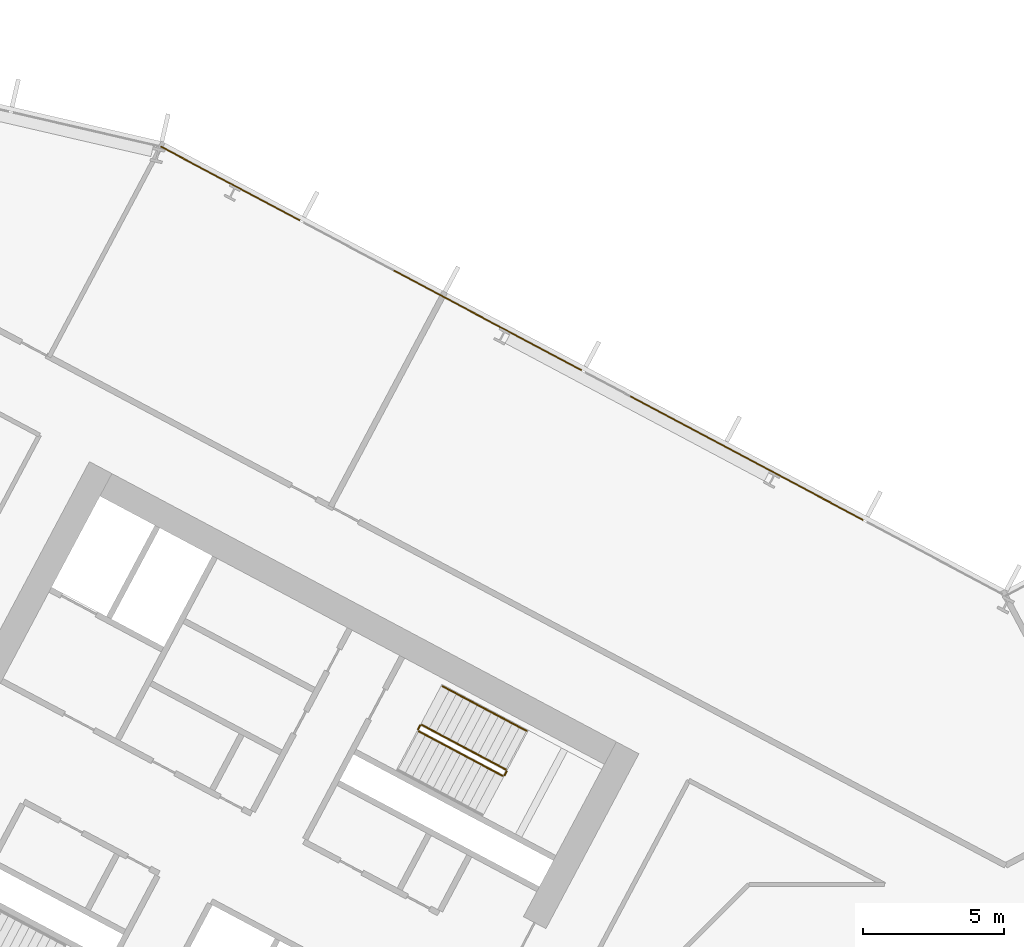
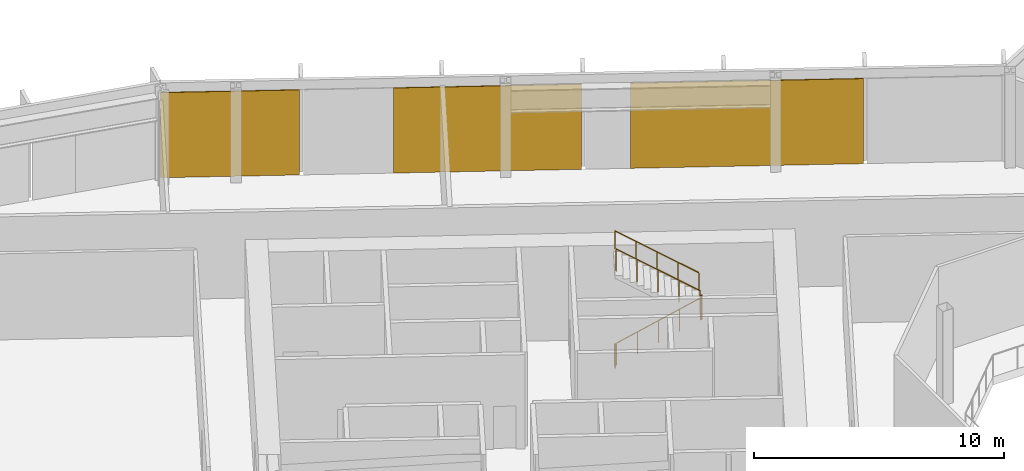
# One storey, part 25 of 31: 5 railings, 3 coverings, 1 element without a shape of its own.
"""IFC4 building model written with IfcOpenShell, lengths in metres."""

from ifc_helpers import new_model, si_unit, direction, frame, origin, origin_2d, place, context, subcontext, project, spatial, polyline, rectangle, outline, extrude, material, layer, layer_set, type_object, element, aggregate, save


model = new_model("IFC4")

# Units and contexts
model_context = context("Model", 3, precision=1e-05, world=origin(), true_north=direction((0.0, 1.0)))
body_context = subcontext(model_context, "Body", "Model", "MODEL_VIEW")
ifc_project = project(units=[si_unit("LENGTHUNIT", "METRE"), si_unit("AREAUNIT", "SQUARE_METRE"), si_unit("VOLUMEUNIT", "CUBIC_METRE"), si_unit("PLANEANGLEUNIT", "RADIAN"), si_unit("MASSUNIT", "GRAM", prefix="KILO")], contexts=[model_context])

# Site, building, storey
site_placement = place(None, origin())
site = spatial("IfcSite", under=ifc_project, at=site_placement, CompositionType="ELEMENT")
building_placement = place(site_placement, origin())
building = spatial("IfcBuilding", under=site, at=building_placement, Name="Cormorant Relay Tower", CompositionType="ELEMENT")
storey_placement = place(building_placement, frame((0.0, 0.0, 93.800048828125)))
storey = spatial("IfcBuildingStorey", under=building, at=storey_placement, Name="L18", CompositionType="ELEMENT", Elevation=93.800048828125)

# Curtain wall, coverings
ifc_material_1 = material(Name="Aluminium 6063-T6 anodised bronze", Category="aluminium")
ifc_layer_1 = layer(ifc_material_1, 0.199951171875)
ifc_layer_set_1 = layer_set([ifc_layer_1], Name="CW1 unitised bronze curtain wall with vertical fins")
curtain_wall_type = type_object("IfcCurtainWallType", Name="CW1 unitised bronze curtain wall with vertical fins", PredefinedType="NOTDEFINED", material=ifc_layer_set_1)
curtain_wall_placement = place(storey_placement, origin())
curtain_wall = element("IfcCurtainWall", 1, at=curtain_wall_placement, inside=storey, type_object=curtain_wall_type, Name="CW1 curtain wall 7", PredefinedType="NOTDEFINED")
ifc_material_2 = material(Name="Pale bronze anodised aluminium insulated panel", Category="aluminium")
ifc_layer_2 = layer(ifc_material_2, 0.0400390625)
ifc_layer_set_2 = layer_set([ifc_layer_2], Name="CW1 pale bronze insulated panel 40")
covering_type = type_object("IfcCoveringType", Name="CW1 pale bronze insulated panel 40", PredefinedType="CLADDING", material=ifc_layer_set_2)
covering_1_placement = place(storey_placement, frame((-9.15380859375, 28.673828125, 0.0), z_axis=(0.0, 0.0, 1.0), x_axis=(-0.882947592859, 0.469471562786, 0.0)))
covering_1 = element("IfcCovering", 2, at=covering_1_placement, type_object=covering_type, Name="CW1 panel S01", PredefinedType="CLADDING", context=body_context, shape_type="SweptSolid", body=[
    extrude(rectangle(XDim=9.327880859375, YDim=0.0400390625, at=origin_2d()), origin(), (0.0, 0.0, 1.0), 4.14990234375),
])
covering_2_placement = place(storey_placement, frame((-18.317138671875, 33.5458984375, 0.0), z_axis=(0.0, 0.0, 1.0), x_axis=(-0.882947592859, 0.469471562786, 0.0)))
covering_2 = element("IfcCovering", 3, at=covering_2_placement, type_object=covering_type, Name="CW1 panel S03", PredefinedType="CLADDING", context=body_context, shape_type="SweptSolid", body=[
    extrude(rectangle(XDim=7.528076171875, YDim=0.0400390625, at=origin_2d()), origin(), (0.0, 0.0, 1.0), 4.14990234375),
])
covering_3_placement = place(storey_placement, frame((-27.407958984375, 38.379638671875, 0.0), z_axis=(0.0, 0.0, 1.0), x_axis=(-0.882947592859, 0.469471562786, 0.0)))
covering_3 = element("IfcCovering", 4, at=covering_3_placement, type_object=covering_type, Name="CW1 panel S05", PredefinedType="CLADDING", context=body_context, shape_type="SweptSolid", body=[
    extrude(rectangle(XDim=5.56396484375, YDim=0.0400390625, at=origin_2d()), origin(), (0.0, 0.0, 1.0), 4.14990234375),
])
aggregate(curtain_wall, [covering_1, covering_2, covering_3])

# Railings
ifc_material_3 = material(Name="Steel ASTM A572 Grade 50 (Fy 345 MPa)", Category="steel")
railing_type_1 = type_object("IfcRailingType", Name="Stair guard 1100", PredefinedType="GUARDRAIL", material=ifc_material_3)
railing_1_placement = place(storey_placement, frame((-20.75048828125, 19.017822265625, 0.1767578125)))
element("IfcRailing", 5, at=railing_1_placement, inside=storey, type_object=railing_type_1, Name="L18 A1 stair guard 1", PredefinedType="GUARDRAIL", context=body_context, shape_type="SweptSolid", body=[
    extrude(outline(polyline([(0.022216796875, 0.00927734375), (0.00927734375, 0.022216796875), (-0.00927734375, 0.022216796875), (-0.022216796875, 0.00927734375), (-0.022216796875, -0.00927734375), (-0.00927734375, -0.022216796875), (0.00927734375, -0.022216796875), (0.022216796875, -0.00927734375), (0.022216796875, 0.00927734375)])), frame((0.0, 0.0, 1.076171875), z_axis=(0.746388972956, -0.396874261729, 0.534223100798), x_axis=(0.469482818608, 0.88294160794, 0.0)), (0.0, 0.0, 1.0), 3.974609375),
    extrude(outline(polyline([(0.019287109375, 0.008056640625), (0.008056640625, 0.019287109375), (-0.008056640625, 0.019287109375), (-0.019287109375, 0.008056640625), (-0.019287109375, -0.008056640625), (-0.008056640625, -0.019287109375), (0.008056640625, -0.019287109375), (0.019287109375, -0.008056640625), (0.019287109375, 0.008056640625)])), origin(), (0.0, 0.0, 1.0), 1.052001953125),
    extrude(outline(polyline([(0.019287109375, 0.008056640625), (0.008056640625, 0.019287109375), (-0.008056640625, 0.019287109375), (-0.019287109375, 0.008056640625), (-0.019287109375, -0.008056640625), (-0.008056640625, -0.019287109375), (0.008056640625, -0.019287109375), (0.019287109375, -0.008056640625), (0.019287109375, 0.008056640625)])), frame((0.74169921875, -0.394287109375, 0.53076171875)), (0.0, 0.0, 1.0), 1.052001953125),
    extrude(outline(polyline([(0.019287109375, 0.008056640625), (0.008056640625, 0.019287109375), (-0.008056640625, 0.019287109375), (-0.019287109375, 0.008056640625), (-0.019287109375, -0.008056640625), (-0.008056640625, -0.019287109375), (0.008056640625, -0.019287109375), (0.019287109375, -0.008056640625), (0.019287109375, 0.008056640625)])), frame((1.4833984375, -0.78857421875, 1.0615234375)), (0.0, 0.0, 1.0), 1.052001953125),
    extrude(outline(polyline([(0.019287109375, 0.008056640625), (0.008056640625, 0.019287109375), (-0.008056640625, 0.019287109375), (-0.019287109375, 0.008056640625), (-0.019287109375, -0.008056640625), (-0.008056640625, -0.019287109375), (0.008056640625, -0.019287109375), (0.019287109375, -0.008056640625), (0.019287109375, 0.008056640625)])), frame((2.224853515625, -1.18310546875, 1.592529296875)), (0.0, 0.0, 1.0), 1.052001953125),
    extrude(outline(polyline([(0.019287109375, 0.008056640625), (0.008056640625, 0.019287109375), (-0.008056640625, 0.019287109375), (-0.019287109375, 0.008056640625), (-0.019287109375, -0.008056640625), (-0.008056640625, -0.019287109375), (0.008056640625, -0.019287109375), (0.019287109375, -0.008056640625), (0.019287109375, 0.008056640625)])), frame((2.966552734375, -1.577392578125, 2.123291015625)), (0.0, 0.0, 1.0), 1.052001953125),
])
railing_2_placement = place(storey_placement, frame((-17.71630859375, 17.461181640625, 2.300048828125)))
element("IfcRailing", 6, at=railing_2_placement, inside=storey, type_object=railing_type_1, Name="L18 A1 stair guard 2", PredefinedType="GUARDRAIL", context=body_context, shape_type="SweptSolid", body=[
    extrude(outline(polyline([(0.022216796875, 0.00927734375), (0.00927734375, 0.022216796875), (-0.00927734375, 0.022216796875), (-0.022216796875, 0.00927734375), (-0.022216796875, -0.00927734375), (-0.00927734375, -0.022216796875), (0.00927734375, -0.022216796875), (0.022216796875, -0.00927734375), (0.022216796875, 0.00927734375)])), frame((0.0, 0.0, 1.076171875), z_axis=(0.470503732759, 0.882398003998, 0.0), x_axis=(-0.882398003998, 0.470503732759, 0.0)), (0.0, 0.0, 1.0), 0.14990234375),
    extrude(outline(polyline([(0.019287109375, 0.008056640625), (0.008056640625, 0.019287109375), (-0.008056640625, 0.019287109375), (-0.019287109375, 0.008056640625), (-0.019287109375, -0.008056640625), (-0.008056640625, -0.019287109375), (0.008056640625, -0.019287109375), (0.019287109375, -0.008056640625), (0.019287109375, 0.008056640625)])), origin(), (0.0, 0.0, 1.0), 1.052001953125),
    extrude(outline(polyline([(0.019287109375, 0.008056640625), (0.008056640625, 0.019287109375), (-0.008056640625, 0.019287109375), (-0.019287109375, 0.008056640625), (-0.019287109375, -0.008056640625), (-0.008056640625, -0.019287109375), (0.008056640625, -0.019287109375), (0.019287109375, -0.008056640625), (0.019287109375, 0.008056640625)])), frame((0.070556640625, 0.13232421875, 0.0)), (0.0, 0.0, 1.0), 1.052001953125),
])
railing_3_placement = place(storey_placement, frame((-17.66650390625, 17.6611328125, 2.476806640625)))
element("IfcRailing", 7, at=railing_3_placement, inside=storey, type_object=railing_type_1, Name="L18 A1 stair guard 3", PredefinedType="GUARDRAIL", context=body_context, shape_type="SweptSolid", body=[
    extrude(outline(polyline([(0.022216796875, 0.00927734375), (0.00927734375, 0.022216796875), (-0.00927734375, 0.022216796875), (-0.022216796875, 0.00927734375), (-0.022216796875, -0.00927734375), (-0.00927734375, -0.022216796875), (0.00927734375, -0.022216796875), (0.022216796875, -0.00927734375), (0.022216796875, 0.00927734375)])), frame((0.0, 0.0, 1.076171875), z_axis=(-0.746440668329, 0.396869088057, 0.534154711306), x_axis=(-0.46945269911, -0.882957622595, 0.0)), (0.0, 0.0, 1.0), 3.974609375),
    extrude(outline(polyline([(0.019287109375, 0.008056640625), (0.008056640625, 0.019287109375), (-0.008056640625, 0.019287109375), (-0.019287109375, 0.008056640625), (-0.019287109375, -0.008056640625), (-0.008056640625, -0.019287109375), (0.008056640625, -0.019287109375), (0.019287109375, -0.008056640625), (0.019287109375, 0.008056640625)])), origin(), (0.0, 0.0, 1.0), 1.052001953125),
    extrude(outline(polyline([(0.019287109375, 0.008056640625), (0.008056640625, 0.019287109375), (-0.008056640625, 0.019287109375), (-0.019287109375, 0.008056640625), (-0.019287109375, -0.008056640625), (-0.008056640625, -0.019287109375), (0.008056640625, -0.019287109375), (0.019287109375, -0.008056640625), (0.019287109375, 0.008056640625)])), frame((-0.74169921875, 0.394287109375, 0.53076171875)), (0.0, 0.0, 1.0), 1.052001953125),
    extrude(outline(polyline([(0.019287109375, 0.008056640625), (0.008056640625, 0.019287109375), (-0.008056640625, 0.019287109375), (-0.019287109375, 0.008056640625), (-0.019287109375, -0.008056640625), (-0.008056640625, -0.019287109375), (0.008056640625, -0.019287109375), (0.019287109375, -0.008056640625), (0.019287109375, 0.008056640625)])), frame((-1.4833984375, 0.78857421875, 1.0615234375)), (0.0, 0.0, 1.0), 1.052001953125),
    extrude(outline(polyline([(0.019287109375, 0.008056640625), (0.008056640625, 0.019287109375), (-0.008056640625, 0.019287109375), (-0.019287109375, 0.008056640625), (-0.019287109375, -0.008056640625), (-0.008056640625, -0.019287109375), (0.008056640625, -0.019287109375), (0.019287109375, -0.008056640625), (0.019287109375, 0.008056640625)])), frame((-2.22509765625, 1.18310546875, 1.59228515625)), (0.0, 0.0, 1.0), 1.052001953125),
    extrude(outline(polyline([(0.019287109375, 0.008056640625), (0.008056640625, 0.019287109375), (-0.008056640625, 0.019287109375), (-0.019287109375, 0.008056640625), (-0.019287109375, -0.008056640625), (-0.008056640625, -0.019287109375), (0.008056640625, -0.019287109375), (0.019287109375, -0.008056640625), (0.019287109375, 0.008056640625)])), frame((-2.966796875, 1.577392578125, 2.123046875)), (0.0, 0.0, 1.0), 1.052001953125),
])
railing_4_placement = place(storey_placement, frame((-20.771240234375, 19.08544921875, 0.0)))
element("IfcRailing", 8, at=railing_4_placement, inside=storey, type_object=railing_type_1, Name="L18 A1 stair guard 4", PredefinedType="GUARDRAIL", context=body_context, shape_type="SweptSolid", body=[
    extrude(outline(polyline([(0.022216796875, 0.00927734375), (0.00927734375, 0.022216796875), (-0.00927734375, 0.022216796875), (-0.022216796875, 0.00927734375), (-0.022216796875, -0.00927734375), (-0.00927734375, -0.022216796875), (0.00927734375, -0.022216796875), (0.022216796875, -0.00927734375), (0.022216796875, 0.00927734375)])), frame((0.0, 0.0, 1.076171875), z_axis=(0.469828648786, 0.882757634224, 0.0), x_axis=(-0.882757634224, 0.469828648786, 0.0)), (0.0, 0.0, 1.0), 0.150146484375),
    extrude(outline(polyline([(0.019287109375, 0.008056640625), (0.008056640625, 0.019287109375), (-0.008056640625, 0.019287109375), (-0.019287109375, 0.008056640625), (-0.019287109375, -0.008056640625), (-0.008056640625, -0.019287109375), (0.008056640625, -0.019287109375), (0.019287109375, -0.008056640625), (0.019287109375, 0.008056640625)])), origin(), (0.0, 0.0, 1.0), 1.052001953125),
    extrude(outline(polyline([(0.019287109375, 0.008056640625), (0.008056640625, 0.019287109375), (-0.008056640625, 0.019287109375), (-0.019287109375, 0.008056640625), (-0.019287109375, -0.008056640625), (-0.008056640625, -0.019287109375), (0.008056640625, -0.019287109375), (0.019287109375, -0.008056640625), (0.019287109375, 0.008056640625)])), frame((0.070556640625, 0.132568359375, 0.0)), (0.0, 0.0, 1.0), 1.052001953125),
])
ifc_material_4 = material(Name="Steel ASTM A572 Grade 50 (Fy 345 MPa)", Category="steel")
railing_type_2 = type_object("IfcRailingType", Name="Stair handrail 900", PredefinedType="HANDRAIL", material=ifc_material_4)
railing_5_placement = place(storey_placement, frame((-16.938720703125, 19.02978515625, 2.476806640625)))
element("IfcRailing", 9, at=railing_5_placement, inside=storey, type_object=railing_type_2, Name="L18 A1 stair handrail 2", PredefinedType="HANDRAIL", context=body_context, shape_type="SweptSolid", body=[
    extrude(outline(polyline([(0.022216796875, 0.00927734375), (0.00927734375, 0.022216796875), (-0.00927734375, 0.022216796875), (-0.022216796875, 0.00927734375), (-0.022216796875, -0.00927734375), (-0.00927734375, -0.022216796875), (0.00927734375, -0.022216796875), (0.022216796875, -0.00927734375), (0.022216796875, 0.00927734375)])), frame((0.0, 0.0, 0.8759765625), z_axis=(-0.746440668329, 0.396869088057, 0.534154711306), x_axis=(-0.46945269911, -0.882957622595, 0.0)), (0.0, 0.0, 1.0), 3.974609375),
    extrude(outline(polyline([(0.019287109375, 0.008056640625), (0.008056640625, 0.019287109375), (-0.008056640625, 0.019287109375), (-0.019287109375, 0.008056640625), (-0.019287109375, -0.008056640625), (-0.008056640625, -0.019287109375), (0.008056640625, -0.019287109375), (0.019287109375, -0.008056640625), (0.019287109375, 0.008056640625)])), origin(), (0.0, 0.0, 1.0), 0.851806640625),
    extrude(outline(polyline([(0.019287109375, 0.008056640625), (0.008056640625, 0.019287109375), (-0.008056640625, 0.019287109375), (-0.019287109375, 0.008056640625), (-0.019287109375, -0.008056640625), (-0.008056640625, -0.019287109375), (0.008056640625, -0.019287109375), (0.019287109375, -0.008056640625), (0.019287109375, 0.008056640625)])), frame((-0.74169921875, 0.394287109375, 0.53076171875)), (0.0, 0.0, 1.0), 0.851806640625),
    extrude(outline(polyline([(0.019287109375, 0.008056640625), (0.008056640625, 0.019287109375), (-0.008056640625, 0.019287109375), (-0.019287109375, 0.008056640625), (-0.019287109375, -0.008056640625), (-0.008056640625, -0.019287109375), (0.008056640625, -0.019287109375), (0.019287109375, -0.008056640625), (0.019287109375, 0.008056640625)])), frame((-1.4833984375, 0.78857421875, 1.0615234375)), (0.0, 0.0, 1.0), 0.851806640625),
    extrude(outline(polyline([(0.019287109375, 0.008056640625), (0.008056640625, 0.019287109375), (-0.008056640625, 0.019287109375), (-0.019287109375, 0.008056640625), (-0.019287109375, -0.008056640625), (-0.008056640625, -0.019287109375), (0.008056640625, -0.019287109375), (0.019287109375, -0.008056640625), (0.019287109375, 0.008056640625)])), frame((-2.22509765625, 1.18310546875, 1.59228515625)), (0.0, 0.0, 1.0), 0.851806640625),
    extrude(outline(polyline([(0.019287109375, 0.008056640625), (0.008056640625, 0.019287109375), (-0.008056640625, 0.019287109375), (-0.019287109375, 0.008056640625), (-0.019287109375, -0.008056640625), (-0.008056640625, -0.019287109375), (0.008056640625, -0.019287109375), (0.019287109375, -0.008056640625), (0.019287109375, 0.008056640625)])), frame((-2.966796875, 1.577392578125, 2.123046875)), (0.0, 0.0, 1.0), 0.851806640625),
])

save(model, "model.ifc")
